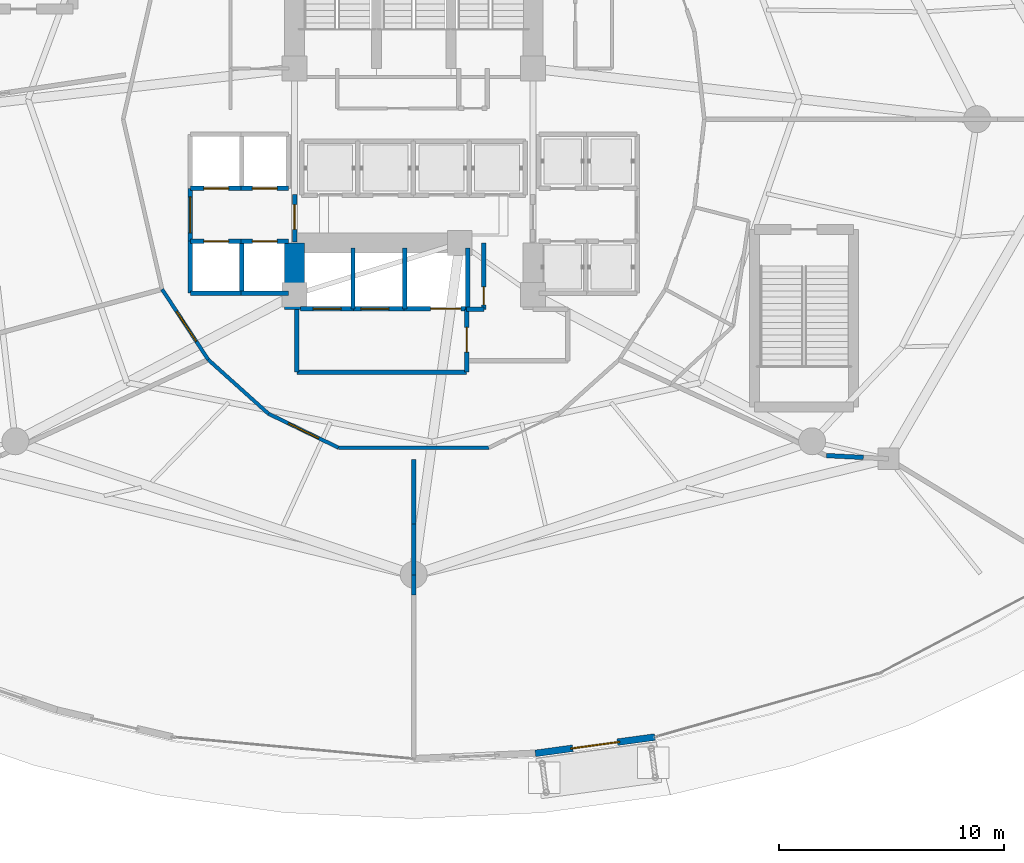
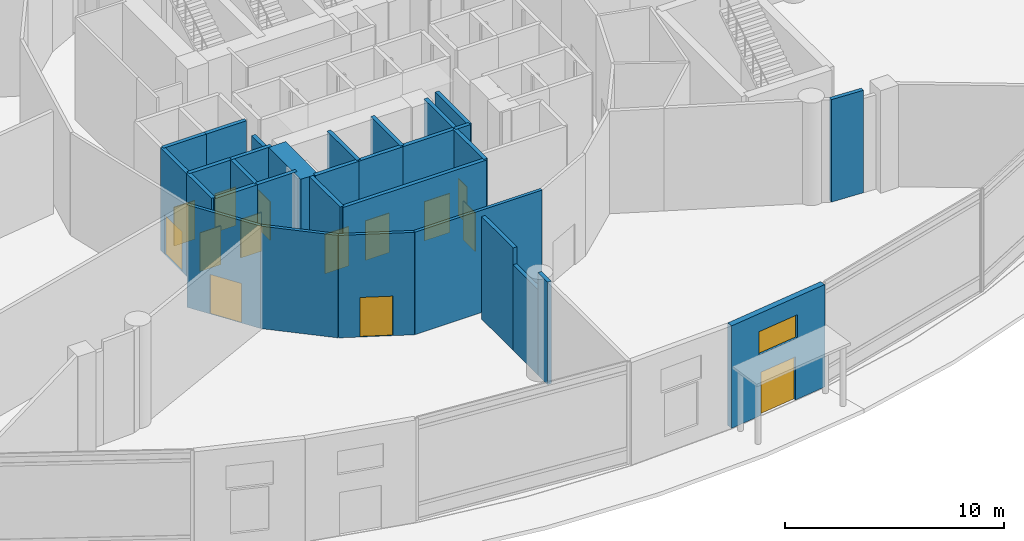
# One storey, part 31 of 40: 31 walls, 14 doors, 1 window, 15 openings.
"""IFC4 building model written with IfcOpenShell, lengths in metres."""

import ifcopenshell
import ifcopenshell.guid

model = None  # the IFC model being written
_history = None  # IfcOwnerHistory: only IFC2X3 demands one
_inside = {}  # id of a spatial element -> (the spatial element, [elements in it])
_under = {}  # id of a project, library or spatial element -> (it, [spatial elements below it])
_declared = {}  # id of a project -> (the project, [libraries it declares])
_typed = {}  # id of a type object -> (the type object, [elements of that type])
_made_of = {}  # id of a material, layer set ... -> (it, [elements and type objects made of it])


def new_model(schema):
    """Start an empty IFC model of exactly this schema.

    Asked for "IFC4X3", IfcOpenShell would pick the latest addendum, in which some entities
    have other attributes; the version numbers below select the first issue.
    IFC2X3 requires an IfcOwnerHistory on every rooted entity: one is made here for all.
    """
    global model, _history
    if schema == "IFC4X3":
        model = ifcopenshell.file(schema_version=(4, 3, 0, 0))
    else:
        model = ifcopenshell.file(schema=schema)
    _inside.clear()
    _under.clear()
    _declared.clear()
    _typed.clear()
    _made_of.clear()
    _history = None
    if model.schema == "IFC2X3":
        org = make("IfcOrganization", Name="unknown")
        user = make(
            "IfcPersonAndOrganization",
            ThePerson=make("IfcPerson", FamilyName="unknown"),
            TheOrganization=org,
        )
        app = make(
            "IfcApplication",
            ApplicationDeveloper=org,
            Version="unknown",
            ApplicationFullName="unknown",
            ApplicationIdentifier="unknown",
        )
        _history = make(
            "IfcOwnerHistory",
            OwningUser=user,
            OwningApplication=app,
            ChangeAction="ADDED",
            CreationDate=0,
        )
    return model


def make(cls, **values):
    """One entity of the class cls with the attributes given. An attribute that is None is left unset."""
    return model.create_entity(
        cls, **{name: value for name, value in values.items() if value is not None}
    )


def rooted(cls, **values):
    """An entity with a GlobalId (a new one), such as an element, a storey or a relation."""
    return make(cls, GlobalId=ifcopenshell.guid.new(), OwnerHistory=_history, **values)


def si_unit(unit_type, name, prefix=None):
    """IfcSIUnit, for example si_unit("LENGTHUNIT", "METRE", prefix="MILLI")."""
    return make("IfcSIUnit", UnitType=unit_type, Prefix=prefix, Name=name)


def assignment(units):
    """IfcUnitAssignment: the units of a project."""
    return None if units is None else make("IfcUnitAssignment", Units=units)


def point(xyz):
    """IfcCartesianPoint."""
    return None if xyz is None else make("IfcCartesianPoint", Coordinates=xyz)


def direction(xyz):
    """IfcDirection."""
    return None if xyz is None else make("IfcDirection", DirectionRatios=xyz)


def frame(location, z_axis=None, x_axis=None):
    """IfcAxis2Placement3D, a coordinate frame: its origin and axes. An axis left out is left unset."""
    return make(
        "IfcAxis2Placement3D",
        Location=point(location),
        Axis=direction(z_axis),
        RefDirection=direction(x_axis),
    )


def frame_2d(location, x_axis=None):
    """IfcAxis2Placement2D, a coordinate frame in the plane: its origin and x axis."""
    return make(
        "IfcAxis2Placement2D", Location=point(location), RefDirection=direction(x_axis)
    )


def origin():
    """The frame at (0, 0, 0) with its axes left unset."""
    return frame((0.0, 0.0, 0.0))


def place(relative_to, where):
    """IfcLocalPlacement: puts the frame where relative to a parent placement (None: the world)."""
    return make(
        "IfcLocalPlacement", PlacementRelTo=relative_to, RelativePlacement=where
    )


def context(
    kind, dimensions, precision=None, world=None, true_north=None, identifier=None
):
    """IfcGeometricRepresentationContext, for example the 3D "Model" context."""
    return make(
        "IfcGeometricRepresentationContext",
        ContextIdentifier=identifier,
        ContextType=kind,
        CoordinateSpaceDimension=dimensions,
        Precision=precision,
        WorldCoordinateSystem=world,
        TrueNorth=true_north,
    )


def subcontext(parent, identifier, kind, view, scale=None):
    """IfcGeometricRepresentationSubContext, for example "Body" below "Model"."""
    return make(
        "IfcGeometricRepresentationSubContext",
        ContextIdentifier=identifier,
        ContextType=kind,
        ParentContext=parent,
        TargetScale=scale,
        TargetView=view,
    )


def project(units=None, contexts=None):
    """IfcProject with its units and contexts."""
    return rooted(
        "IfcProject",
        Name="project",
        RepresentationContexts=contexts,
        UnitsInContext=assignment(units),
    )


def spatial(cls, under=None, at=None, **own):
    """A site, building, storey or space (cls), placed at a placement, below another one or the project."""
    s = rooted(cls, ObjectPlacement=at, **own)
    if under is not None:
        _under.setdefault(under.id(), (under, []))[1].append(s)
    return s


def profile(cls, at=None, kind="AREA", **sizes):
    """A parametric profile (cls). Its sizes go by their IFC names, for example OverallWidth=200.0."""
    return make(cls, ProfileType=kind, Position=at, **sizes)


def rectangle(**sizes):
    """IfcRectangleProfileDef."""
    return profile("IfcRectangleProfileDef", **sizes)


def extrude(swept, where, along, depth):
    """IfcExtrudedAreaSolid: the profile swept, set in the frame where, extruded along a direction by depth."""
    return make(
        "IfcExtrudedAreaSolid",
        SweptArea=swept,
        Position=where,
        ExtrudedDirection=direction(along),
        Depth=depth,
    )


def shape(context_of_items, identifier, shape_type, items):
    """IfcShapeRepresentation: the items that make up one representation, for example the "Body"."""
    return make(
        "IfcShapeRepresentation",
        ContextOfItems=context_of_items,
        RepresentationIdentifier=identifier,
        RepresentationType=shape_type,
        Items=items,
    )


def material(Name=None, Category=None):
    """IfcMaterial."""
    return make("IfcMaterial", Name=Name, Category=Category)


def layer(
    of_material, thickness, ventilated=None, Name=None, Category=None, Priority=None
):
    """IfcMaterialLayer: one layer of a wall or slab, of a material (None: an air gap)."""
    return make(
        "IfcMaterialLayer",
        Material=of_material,
        LayerThickness=thickness,
        IsVentilated=ventilated,
        Name=Name,
        Category=Category,
        Priority=Priority,
    )


def layer_set(layers, Name=None):
    """IfcMaterialLayerSet."""
    return make("IfcMaterialLayerSet", MaterialLayers=layers, LayerSetName=Name)


def made_of(thing, what):
    """Note that an element or type object is made of a material, layer set ...; save() writes the relation."""
    if what is not None:
        _made_of.setdefault(what.id(), (what, []))[1].append(thing)
    return thing


def type_object(cls, material=None, **own):
    """A type object (cls), such as IfcWallType, which elements share."""
    return made_of(rooted(cls, **own), material)


def element(
    cls,
    number,
    at=None,
    inside=None,
    cuts=None,
    type_object=None,
    material=None,
    context=None,
    identifier="Body",
    shape_type=None,
    held_by="IfcProductDefinitionShape",
    body=None,
    shapes=None,
    **own,
):
    """One element of the class cls, such as IfcWall. Its Tag is "e" and its number.

    at: its placement. inside: the storey or other place that contains it. cuts: it is an
    opening in that element (IfcRelVoidsElement). A single representation is given by context,
    identifier, shape_type and body (its items); several are given by shapes. held_by: the class
    of the entity that holds the representations. save() writes the other relations.
    """
    e = rooted(cls, Tag="e%d" % number, ObjectPlacement=at, **own)
    if body is not None:
        shapes = [shape(context, identifier, shape_type, body)]
    if shapes is not None:
        e.Representation = make(held_by, Representations=shapes)
    if inside is not None:
        _inside.setdefault(inside.id(), (inside, []))[1].append(e)
    if cuts is not None:
        rooted(
            "IfcRelVoidsElement", RelatingBuildingElement=cuts, RelatedOpeningElement=e
        )
    if type_object is not None:
        _typed.setdefault(type_object.id(), (type_object, []))[1].append(e)
    return made_of(e, material)


def fill(opening, filler):
    """IfcRelFillsElement: the door or window that sits in an opening."""
    return rooted(
        "IfcRelFillsElement",
        RelatingOpeningElement=opening,
        RelatedBuildingElement=filler,
    )


def aggregate(whole, parts):
    """IfcRelAggregates: a whole, such as a stair, and the parts it consists of."""
    return rooted("IfcRelAggregates", RelatingObject=whole, RelatedObjects=parts)


def save(model, path):
    """Write the relations noted so far, then the file.

    IfcRelAggregates (storeys below a building ...), IfcRelContainedInSpatialStructure (elements
    in a storey), IfcRelDefinesByType, IfcRelAssociatesMaterial and IfcRelDeclares: one each for
    every whole, place, type object, material and project.
    """
    for whole, parts in _under.values():
        aggregate(whole, parts)
    for where, things in _inside.values():
        rooted(
            "IfcRelContainedInSpatialStructure",
            RelatedElements=things,
            RelatingStructure=where,
        )
    for kind, things in _typed.values():
        rooted("IfcRelDefinesByType", RelatedObjects=things, RelatingType=kind)
    for what, things in _made_of.values():
        rooted("IfcRelAssociatesMaterial", RelatedObjects=things, RelatingMaterial=what)
    for by, libraries in _declared.values():
        rooted("IfcRelDeclares", RelatingContext=by, RelatedDefinitions=libraries)
    model.write(path)


model = new_model("IFC4")

# Units and contexts
model_context = context("Model", 3, precision=1e-05, world=origin(), true_north=direction((0.0, 1.0)))
body_context = subcontext(model_context, "Body", "Model", "MODEL_VIEW")
ifc_project = project(units=[si_unit("LENGTHUNIT", "METRE"), si_unit("AREAUNIT", "SQUARE_METRE"), si_unit("VOLUMEUNIT", "CUBIC_METRE"), si_unit("PLANEANGLEUNIT", "RADIAN"), si_unit("MASSUNIT", "GRAM", prefix="KILO")], contexts=[model_context])

# Site, building, storey
site_placement = place(None, origin())
site = spatial("IfcSite", under=ifc_project, at=site_placement, CompositionType="ELEMENT")
building_placement = place(site_placement, origin())
building = spatial("IfcBuilding", under=site, at=building_placement, Name="Nuhasar Tower", CompositionType="ELEMENT")
storey_placement = place(building_placement, origin())
storey = spatial("IfcBuildingStorey", under=building, at=storey_placement, Name="L00", CompositionType="ELEMENT", Elevation=0.0)

# Wall, openings, door, window
ifc_material_1 = material(Name="Concrete C45/55", Category="concrete")
ifc_layer_1 = layer(ifc_material_1, 0.239990234375)
ifc_material_2 = material(Name="Limestone Ashlar", Category="masonry")
ifc_layer_2 = layer(ifc_material_2, 0.06005859375)
ifc_layer_set_1 = layer_set([ifc_layer_1, ifc_layer_2], Name="Concrete C45/55")
wall_type_1 = type_object("IfcWallType", Name="WL-ARC-300", PredefinedType="STANDARD", material=ifc_layer_set_1)
wall_1_placement = place(storey_placement, frame((49.72509765625, -0.6708984375, 0.0), z_axis=(0.0, 0.0, 1.0), x_axis=(-0.99080162659, -0.135322343857, 0.0)))
wall_1 = element("IfcWall", 1, at=wall_1_placement, inside=storey, type_object=wall_type_1, Name="L00 Limestone Arcade Spandrel Pier 19-2", PredefinedType="STANDARD", context=body_context, shape_type="SweptSolid", body=[
    extrude(rectangle(XDim=5.365478515625, YDim=0.300048828125, at=frame_2d((2.6826171875, 0.0))), origin(), (0.0, 0.0, 1.0), 5.699951171875),
])
opening_1_placement = place(wall_1_placement, frame((1.68310546875, 0.0, 0.0)))
opening_1 = element("IfcOpeningElement", 2, at=opening_1_placement, cuts=wall_1, Name="Opening DX-01", PredefinedType="OPENING", context=body_context, shape_type="SweptSolid", body=[
    extrude(rectangle(XDim=2.0, YDim=2.39990234375, at=frame_2d((1.0, 1.199951171875))), frame((0.0, 0.16015625, 0.0), z_axis=(0.0, -1.0, 0.0), x_axis=(1.0, 0.0, 0.0)), (0.0, 0.0, 1.0), 0.320068359375),
])
opening_2_placement = place(wall_1_placement, frame((1.5830078125, 0.0, 3.39990234375)))
opening_2 = element("IfcOpeningElement", 3, at=opening_2_placement, cuts=wall_1, Name="Opening WX-03", PredefinedType="OPENING", context=body_context, shape_type="SweptSolid", body=[
    extrude(rectangle(XDim=2.199951171875, YDim=1.300048828125, at=frame_2d((1.10009765625, 0.64990234375))), frame((0.0, 0.16015625, 0.0), z_axis=(0.0, -1.0, 0.0), x_axis=(1.0, 0.0, 0.0)), (0.0, 0.0, 1.0), 0.320068359375),
])
ifc_material_3 = material(Name="Aluminium 6063-T6", Category="aluminium")
door_type_1 = type_object("IfcDoorType", Name="DR-EXT-2000", OperationType="DOUBLE_DOOR_SINGLE_SWING", PredefinedType="DOOR", material=ifc_material_3)
door_1_placement = place(opening_1_placement, origin())
door_1 = element("IfcDoor", 4, at=door_1_placement, inside=storey, type_object=door_type_1, Name="L00 Main Plaza Entrance Portal 19", OperationType="DOUBLE_DOOR_SINGLE_SWING", OverallHeight=2.39990234375, OverallWidth=2.0, PredefinedType="DOOR", context=body_context, shape_type="SweptSolid", body=[
    extrude(rectangle(XDim=2.0, YDim=2.39990234375, at=frame_2d((1.0, 1.199951171875))), frame((0.0, 0.02490234375, 0.0), z_axis=(0.0, -1.0, 0.0), x_axis=(1.0, 0.0, 0.0)), (0.0, 0.0, 1.0), 0.050048828125),
])
fill(opening_1, door_1)
ifc_material_4 = material(Name="Glass Double Low-E", Category="glass")
window_type = type_object("IfcWindowType", Name="WIN-CLER-2200", PartitioningType="DOUBLE_PANEL_HORIZONTAL", PredefinedType="WINDOW", material=ifc_material_4)
window_placement = place(opening_2_placement, origin())
window = element("IfcWindow", 5, at=window_placement, inside=storey, type_object=window_type, Name="L00 Clerestory Light Window 19-2", OverallHeight=1.300048828125, OverallWidth=2.199951171875, PartitioningType="DOUBLE_PANEL_HORIZONTAL", PredefinedType="WINDOW", context=body_context, shape_type="SweptSolid", body=[
    extrude(rectangle(XDim=2.199951171875, YDim=1.300048828125, at=frame_2d((1.10009765625, 0.64990234375))), frame((0.0, 0.030029296875, 0.0), z_axis=(0.0, -1.0, 0.0), x_axis=(1.0, 0.0, 0.0)), (0.0, 0.0, 1.0), 0.06005859375),
])
fill(opening_2, window)

# Wall
ifc_material_5 = material(Name="Concrete C80/95", Category="concrete")
ifc_layer_3 = layer(ifc_material_5, 0.89990234375)
ifc_layer_set_2 = layer_set([ifc_layer_3], Name="Concrete C80/95")
wall_type_2 = type_object("IfcWallType", Name="WL-CORE-900", PredefinedType="SHEAR", material=ifc_layer_set_2)
wall_2_placement = place(storey_placement, frame((33.699951171875, 18.35009765625, 0.0), z_axis=(0.0, 0.0, 1.0), x_axis=(0.0, 1.0, 0.0)))
element("IfcWall", 6, at=wall_2_placement, inside=storey, type_object=wall_type_2, Name="L00 Core Shear Wall CW-SW CW-900", PredefinedType="SHEAR", context=body_context, shape_type="SweptSolid", body=[
    extrude(rectangle(XDim=2.949951171875, YDim=0.89990234375, at=frame_2d((1.47509765625, 0.0))), origin(), (0.0, 0.0, 1.0), 5.699951171875),
])

# Wall, opening, door
ifc_material_6 = material(Name="Gypsum Board", Category="gypsum")
ifc_layer_4 = layer(ifc_material_6, 0.159912109375)
ifc_layer_set_3 = layer_set([ifc_layer_4], Name="Gypsum Board")
wall_type_3 = type_object("IfcWallType", Name="WL-CORR-160", PredefinedType="PARTITIONING", material=ifc_layer_set_3)
wall_3_placement = place(storey_placement, frame((29.864013671875, 16.10888671875, 0.0), z_axis=(0.0, 0.0, 1.0), x_axis=(-0.548318837904, 0.836269365694, 0.0)))
wall_3 = element("IfcWall", 7, at=wall_3_placement, inside=storey, type_object=wall_type_3, Name="L00 Interior Partition CORR-28", PredefinedType="PARTITIONING", context=body_context, shape_type="SweptSolid", body=[
    extrude(rectangle(XDim=3.744140625, YDim=0.159912109375, at=frame_2d((1.8720703125, 0.0))), origin(), (0.0, 0.0, 1.0), 5.699951171875),
])
opening_3_placement = place(wall_3_placement, frame((0.968994140625, 0.0, 0.0)))
opening_3 = element("IfcOpeningElement", 8, at=opening_3_placement, cuts=wall_3, Name="Opening DC-01", PredefinedType="OPENING", context=body_context, shape_type="SweptSolid", body=[
    extrude(rectangle(XDim=1.60009765625, YDim=2.199951171875, at=frame_2d((0.800048828125, 1.10009765625))), frame((0.0, 0.08984375, 0.0), z_axis=(0.0, -1.0, 0.0), x_axis=(1.0, 0.0, 0.0)), (0.0, 0.0, 1.0), 0.179931640625),
])
ifc_material_7 = material(Name="Steel S355", Category="steel")
door_type_2 = type_object("IfcDoorType", Name="DR-CORR-FD60-1600", OperationType="DOUBLE_DOOR_SINGLE_SWING", PredefinedType="DOOR", material=ifc_material_7)
door_2_placement = place(opening_3_placement, origin())
door_2 = element("IfcDoor", 9, at=door_2_placement, inside=storey, type_object=door_type_2, Name="L00 Security Control Office Door", OperationType="DOUBLE_DOOR_SINGLE_SWING", OverallHeight=2.199951171875, OverallWidth=1.60009765625, PredefinedType="DOOR", context=body_context, shape_type="SweptSolid", body=[
    extrude(rectangle(XDim=1.60009765625, YDim=2.199951171875, at=frame_2d((0.800048828125, 1.10009765625))), frame((0.0, 0.02490234375, 0.0), z_axis=(0.0, -1.0, 0.0), x_axis=(1.0, 0.0, 0.0)), (0.0, 0.0, 1.0), 0.050048828125),
])
fill(opening_3, door_2)

# Wall
wall_4_placement = place(storey_placement, frame((29.864013671875, 16.10888671875, 0.0), z_axis=(0.0, 0.0, 1.0), x_axis=(0.744066617248, -0.668105432621, 0.0)))
element("IfcWall", 10, at=wall_4_placement, inside=storey, type_object=wall_type_3, Name="L00 Interior Partition CORR-30", PredefinedType="PARTITIONING", context=body_context, shape_type="SweptSolid", body=[
    extrude(rectangle(XDim=3.596435546875, YDim=0.159912109375, at=frame_2d((1.79833984375, 0.0))), origin(), (0.0, 0.0, 1.0), 5.699951171875),
])

# Wall, opening, door
wall_5_placement = place(storey_placement, frame((35.656005859375, 12.195068359375, 0.0), z_axis=(0.0, 0.0, 1.0), x_axis=(-0.899789784655, 0.436323668199, 0.0)))
wall_5 = element("IfcWall", 11, at=wall_5_placement, inside=storey, type_object=wall_type_3, Name="L00 Interior Partition CORR-32", PredefinedType="PARTITIONING", context=body_context, shape_type="SweptSolid", body=[
    extrude(rectangle(XDim=3.462890625, YDim=0.159912109375, at=frame_2d((1.7314453125, 0.0))), origin(), (0.0, 0.0, 1.0), 5.699951171875),
])
opening_4_placement = place(wall_5_placement, frame((0.98193359375, 0.0, 0.0)))
opening_4 = element("IfcOpeningElement", 12, at=opening_4_placement, cuts=wall_5, Name="Opening DP-01", PredefinedType="OPENING", context=body_context, shape_type="SweptSolid", body=[
    extrude(rectangle(XDim=1.5, YDim=2.199951171875, at=frame_2d((0.75, 1.10009765625))), frame((0.0, 0.08984375, 0.0), z_axis=(0.0, -1.0, 0.0), x_axis=(1.0, 0.0, 0.0)), (0.0, 0.0, 1.0), 0.179931640625),
])
door_type_3 = type_object("IfcDoorType", Name="DR-PLANT-FD120-1500", OperationType="DOUBLE_DOOR_SINGLE_SWING", PredefinedType="DOOR", material=ifc_material_7)
door_3_placement = place(opening_4_placement, origin())
door_3 = element("IfcDoor", 13, at=door_3_placement, inside=storey, type_object=door_type_3, Name="L00 Fire Command Room FCC Door", OperationType="DOUBLE_DOOR_SINGLE_SWING", OverallHeight=2.199951171875, OverallWidth=1.5, PredefinedType="DOOR", context=body_context, shape_type="SweptSolid", body=[
    extrude(rectangle(XDim=1.5, YDim=2.199951171875, at=frame_2d((0.75, 1.10009765625))), frame((0.0, 0.02490234375, 0.0), z_axis=(0.0, -1.0, 0.0), x_axis=(1.0, 0.0, 0.0)), (0.0, 0.0, 1.0), 0.050048828125),
])
fill(opening_4, door_3)

# Wall
wall_6_placement = place(storey_placement, frame((35.656005859375, 12.195068359375, 0.0), z_axis=(0.0, 0.0, 1.0), x_axis=(1.0, 0.0, 0.0)))
element("IfcWall", 14, at=wall_6_placement, inside=storey, type_object=wall_type_3, Name="L00 Interior Partition CORR-34", PredefinedType="PARTITIONING", context=body_context, shape_type="SweptSolid", body=[
    extrude(rectangle(XDim=6.68798828125, YDim=0.159912109375, at=frame_2d((3.343994140625, 0.0))), origin(), (0.0, 0.0, 1.0), 5.699951171875),
])

# Wall, opening, door
ifc_layer_5 = layer(ifc_material_1, 0.199951171875)
ifc_layer_set_4 = layer_set([ifc_layer_5], Name="Concrete C45/55")
wall_type_4 = type_object("IfcWallType", Name="WL-LOBBY-200", PredefinedType="SOLIDWALL", material=ifc_layer_set_4)
wall_7_placement = place(storey_placement, frame((29.070068359375, 21.3798828125, 0.0), z_axis=(0.0, 0.0, 1.0), x_axis=(0.0, 1.0, 0.0)))
wall_7 = element("IfcWall", 15, at=wall_7_placement, inside=storey, type_object=wall_type_4, Name="L00 Interior Partition LLBL-W", PredefinedType="SOLIDWALL", context=body_context, shape_type="SweptSolid", body=[
    extrude(rectangle(XDim=2.340087890625, YDim=0.199951171875, at=frame_2d((1.169921875, 0.0))), origin(), (0.0, 0.0, 1.0), 5.699951171875),
])
opening_5_placement = place(wall_7_placement, frame((0.3701171875, 0.0, 0.0)))
opening_5 = element("IfcOpeningElement", 16, at=opening_5_placement, cuts=wall_7, Name="Opening DC-01", PredefinedType="OPENING", context=body_context, shape_type="SweptSolid", body=[
    extrude(rectangle(XDim=1.60009765625, YDim=2.199951171875, at=frame_2d((0.800048828125, 1.10009765625))), frame((0.0, 0.10986328125, 0.0), z_axis=(0.0, -1.0, 0.0), x_axis=(1.0, 0.0, 0.0)), (0.0, 0.0, 1.0), 0.219970703125),
])
door_4_placement = place(opening_5_placement, origin())
door_4 = element("IfcDoor", 17, at=door_4_placement, inside=storey, type_object=door_type_2, Name="L00 Low-Rise Lift Lobby West Entry", OperationType="DOUBLE_DOOR_SINGLE_SWING", OverallHeight=2.199951171875, OverallWidth=1.60009765625, PredefinedType="DOOR", context=body_context, shape_type="SweptSolid", body=[
    extrude(rectangle(XDim=1.60009765625, YDim=2.199951171875, at=frame_2d((0.800048828125, 1.10009765625))), frame((0.0, 0.02490234375, 0.0), z_axis=(0.0, -1.0, 0.0), x_axis=(1.0, 0.0, 0.0)), (0.0, 0.0, 1.0), 0.050048828125),
])
fill(opening_5, door_4)

wall_8_placement = place(storey_placement, frame((33.699951171875, 21.35009765625, 0.0), z_axis=(0.0, 0.0, 1.0), x_axis=(0.0, 1.0, 0.0)))
wall_8 = element("IfcWall", 18, at=wall_8_placement, inside=storey, type_object=wall_type_4, Name="L00 Interior Partition LLBH-W", PredefinedType="SOLIDWALL", context=body_context, shape_type="SweptSolid", body=[
    extrude(rectangle(XDim=2.099853515625, YDim=0.199951171875, at=frame_2d((1.0498046875, 0.0))), origin(), (0.0, 0.0, 1.0), 4.919921875),
])
opening_6_placement = place(wall_8_placement, frame((0.550048828125, 0.0, 0.0)))
opening_6 = element("IfcOpeningElement", 19, at=opening_6_placement, cuts=wall_8, Name="Opening DS-02", PredefinedType="OPENING", context=body_context, shape_type="SweptSolid", body=[
    extrude(rectangle(XDim=1.10009765625, YDim=2.14990234375, at=frame_2d((0.550048828125, 1.074951171875))), frame((0.0, 0.10986328125, 0.0), z_axis=(0.0, -1.0, 0.0), x_axis=(1.0, 0.0, 0.0)), (0.0, 0.0, 1.0), 0.219970703125),
])
door_type_4 = type_object("IfcDoorType", Name="DR-FFL-FD120-1100", OperationType="NOTDEFINED", PredefinedType="DOOR", material=ifc_material_7)
door_5_placement = place(opening_6_placement, origin())
door_5 = element("IfcDoor", 20, at=door_5_placement, inside=storey, type_object=door_type_4, Name="L00 High-Rise Lobby West Door", OperationType="SINGLE_SWING_RIGHT", OverallHeight=2.14990234375, OverallWidth=1.10009765625, PredefinedType="DOOR", context=body_context, shape_type="SweptSolid", body=[
    extrude(rectangle(XDim=1.10009765625, YDim=2.14990234375, at=frame_2d((0.550048828125, 1.074951171875))), frame((0.0, 0.02490234375, 0.0), z_axis=(0.0, -1.0, 0.0), x_axis=(1.0, 0.0, 0.0)), (0.0, 0.0, 1.0), 0.050048828125),
])
fill(opening_6, door_5)

# Walls
wall_9_placement = place(storey_placement, frame((33.800048828125, 15.550048828125, 0.0), z_axis=(0.0, 0.0, 1.0), x_axis=(1.0, 0.0, 0.0)))
element("IfcWall", 21, at=wall_9_placement, inside=storey, type_object=wall_type_4, Name="L00 Interior Partition FFL-S", PredefinedType="SOLIDWALL", context=body_context, shape_type="SweptSolid", body=[
    extrude(rectangle(XDim=7.550048828125, YDim=0.199951171875, at=frame_2d((3.77490234375, 0.0))), origin(), (0.0, 0.0, 1.0), 5.699951171875),
])
wall_10_placement = place(storey_placement, frame((33.800048828125, 15.550048828125, 0.0), z_axis=(0.0, 0.0, 1.0), x_axis=(0.0, 1.0, 0.0)))
element("IfcWall", 22, at=wall_10_placement, inside=storey, type_object=wall_type_4, Name="L00 Interior Partition FFL-W", PredefinedType="SOLIDWALL", context=body_context, shape_type="SweptSolid", body=[
    extrude(rectangle(XDim=2.800048828125, YDim=0.199951171875, at=frame_2d((1.39990234375, 0.0))), origin(), (0.0, 0.0, 1.0), 5.699951171875),
])

# Wall, opening, door
wall_11_placement = place(storey_placement, frame((41.35009765625, 18.35009765625, 0.0), z_axis=(0.0, 0.0, 1.0), x_axis=(0.0, -1.0, 0.0)))
wall_11 = element("IfcWall", 23, at=wall_11_placement, inside=storey, type_object=wall_type_4, Name="L00 Interior Partition FFL-E", PredefinedType="SOLIDWALL", context=body_context, shape_type="SweptSolid", body=[
    extrude(rectangle(XDim=2.800048828125, YDim=0.199951171875, at=frame_2d((1.39990234375, 0.0))), origin(), (0.0, 0.0, 1.0), 5.699951171875),
])
opening_7_placement = place(wall_11_placement, frame((0.800048828125, 0.0, 0.0)))
opening_7 = element("IfcOpeningElement", 24, at=opening_7_placement, cuts=wall_11, Name="Opening DS-02", PredefinedType="OPENING", context=body_context, shape_type="SweptSolid", body=[
    extrude(rectangle(XDim=1.10009765625, YDim=2.14990234375, at=frame_2d((0.550048828125, 1.074951171875))), frame((0.0, 0.10986328125, 0.0), z_axis=(0.0, -1.0, 0.0), x_axis=(1.0, 0.0, 0.0)), (0.0, 0.0, 1.0), 0.219970703125),
])
door_6_placement = place(opening_7_placement, origin())
door_6 = element("IfcDoor", 25, at=door_6_placement, inside=storey, type_object=door_type_4, Name="L00 Firefighting Lobby Door", OperationType="SINGLE_SWING_LEFT", OverallHeight=2.14990234375, OverallWidth=1.10009765625, PredefinedType="DOOR", context=body_context, shape_type="SweptSolid", body=[
    extrude(rectangle(XDim=1.10009765625, YDim=2.14990234375, at=frame_2d((0.550048828125, 1.074951171875))), frame((0.0, 0.02490234375, 0.0), z_axis=(0.0, -1.0, 0.0), x_axis=(1.0, 0.0, 0.0)), (0.0, 0.0, 1.0), 0.050048828125),
])
fill(opening_7, door_6)

ifc_layer_6 = layer(ifc_material_1, 0.199951171875)
ifc_layer_set_5 = layer_set([ifc_layer_6], Name="Concrete C45/55")
wall_type_5 = type_object("IfcWallType", Name="WL-SHAFT-200", PredefinedType="SOLIDWALL", material=ifc_layer_set_5)
wall_12_placement = place(storey_placement, frame((29.070068359375, 23.719970703125, 0.0), z_axis=(0.0, 0.0, 1.0), x_axis=(1.0, 0.0, 0.0)))
wall_12 = element("IfcWall", 26, at=wall_12_placement, inside=storey, type_object=wall_type_5, Name="L00 Interior Partition SHF-PL-L01-S", PredefinedType="SOLIDWALL", context=body_context, shape_type="SweptSolid", body=[
    extrude(rectangle(XDim=2.309814453125, YDim=0.199951171875, at=frame_2d((1.15478515625, 0.0))), origin(), (0.0, 0.0, 1.0), 5.699951171875),
])
opening_8_placement = place(wall_12_placement, frame((0.60498046875, 0.0, 0.0)))
opening_8 = element("IfcOpeningElement", 27, at=opening_8_placement, cuts=wall_12, Name="Opening LD-L01", PredefinedType="OPENING", context=body_context, shape_type="SweptSolid", body=[
    extrude(rectangle(XDim=1.10009765625, YDim=2.14990234375, at=frame_2d((0.550048828125, 1.074951171875))), frame((0.0, 0.10986328125, 0.0), z_axis=(0.0, -1.0, 0.0), x_axis=(1.0, 0.0, 0.0)), (0.0, 0.0, 1.0), 0.219970703125),
])
ifc_material_8 = material(Name="Stainless Steel 316L", Category="steel")
door_type_5 = type_object("IfcDoorType", Name="LD-PAX-1100", OperationType="DOUBLE_DOOR_SLIDING", PredefinedType="DOOR", material=ifc_material_8)
door_7_placement = place(opening_8_placement, origin())
door_7 = element("IfcDoor", 28, at=door_7_placement, inside=storey, type_object=door_type_5, Name="L00 Lift Landing Door PL-L01", OperationType="DOUBLE_DOOR_SLIDING", OverallHeight=2.14990234375, OverallWidth=1.10009765625, PredefinedType="DOOR", context=body_context, shape_type="SweptSolid", body=[
    extrude(rectangle(XDim=1.10009765625, YDim=2.14990234375, at=frame_2d((0.550048828125, 1.074951171875))), frame((0.0, 0.02490234375, 0.0), z_axis=(0.0, -1.0, 0.0), x_axis=(1.0, 0.0, 0.0)), (0.0, 0.0, 1.0), 0.050048828125),
])
fill(opening_8, door_7)

wall_13_placement = place(storey_placement, frame((31.320068359375, 23.719970703125, 0.0), z_axis=(0.0, 0.0, 1.0), x_axis=(1.0, 0.0, 0.0)))
wall_13 = element("IfcWall", 29, at=wall_13_placement, inside=storey, type_object=wall_type_5, Name="L00 Interior Partition SHF-PL-L02-S", PredefinedType="SOLIDWALL", context=body_context, shape_type="SweptSolid", body=[
    extrude(rectangle(XDim=2.10986328125, YDim=0.199951171875, at=frame_2d((1.054931640625, 0.0))), origin(), (0.0, 0.0, 1.0), 5.699951171875),
])
opening_9_placement = place(wall_13_placement, frame((0.5048828125, 0.0, 0.0)))
opening_9 = element("IfcOpeningElement", 30, at=opening_9_placement, cuts=wall_13, Name="Opening LD-L02", PredefinedType="OPENING", context=body_context, shape_type="SweptSolid", body=[
    extrude(rectangle(XDim=1.10009765625, YDim=2.14990234375, at=frame_2d((0.550048828125, 1.074951171875))), frame((0.0, 0.10986328125, 0.0), z_axis=(0.0, -1.0, 0.0), x_axis=(1.0, 0.0, 0.0)), (0.0, 0.0, 1.0), 0.219970703125),
])
door_8_placement = place(opening_9_placement, origin())
door_8 = element("IfcDoor", 31, at=door_8_placement, inside=storey, type_object=door_type_5, Name="L00 Lift Landing Door PL-L02", OperationType="DOUBLE_DOOR_SLIDING", OverallHeight=2.14990234375, OverallWidth=1.10009765625, PredefinedType="DOOR", context=body_context, shape_type="SweptSolid", body=[
    extrude(rectangle(XDim=1.10009765625, YDim=2.14990234375, at=frame_2d((0.550048828125, 1.074951171875))), frame((0.0, 0.02490234375, 0.0), z_axis=(0.0, -1.0, 0.0), x_axis=(1.0, 0.0, 0.0)), (0.0, 0.0, 1.0), 0.050048828125),
])
fill(opening_9, door_8)

# Wall
wall_14_placement = place(storey_placement, frame((29.070068359375, 19.070068359375, 0.0), z_axis=(0.0, 0.0, 1.0), x_axis=(1.0, 0.0, 0.0)))
element("IfcWall", 32, at=wall_14_placement, inside=storey, type_object=wall_type_5, Name="L00 Interior Partition SHF-PL-L03-S", PredefinedType="SOLIDWALL", context=body_context, shape_type="SweptSolid", body=[
    extrude(rectangle(XDim=2.309814453125, YDim=0.199951171875, at=frame_2d((1.15478515625, 0.0))), origin(), (0.0, 0.0, 1.0), 5.699951171875),
])

# Wall, opening, door
wall_15_placement = place(storey_placement, frame((29.070068359375, 21.3798828125, 0.0), z_axis=(0.0, 0.0, 1.0), x_axis=(1.0, 0.0, 0.0)))
wall_15 = element("IfcWall", 33, at=wall_15_placement, inside=storey, type_object=wall_type_5, Name="L00 Interior Partition SHF-PL-L03-N", PredefinedType="SOLIDWALL", context=body_context, shape_type="SweptSolid", body=[
    extrude(rectangle(XDim=2.309814453125, YDim=0.199951171875, at=frame_2d((1.15478515625, 0.0))), origin(), (0.0, 0.0, 1.0), 5.699951171875),
])
opening_10_placement = place(wall_15_placement, frame((0.60498046875, 0.0, 0.0)))
opening_10 = element("IfcOpeningElement", 34, at=opening_10_placement, cuts=wall_15, Name="Opening LD-L03", PredefinedType="OPENING", context=body_context, shape_type="SweptSolid", body=[
    extrude(rectangle(XDim=1.10009765625, YDim=2.14990234375, at=frame_2d((0.550048828125, 1.074951171875))), frame((0.0, 0.10986328125, 0.0), z_axis=(0.0, -1.0, 0.0), x_axis=(1.0, 0.0, 0.0)), (0.0, 0.0, 1.0), 0.219970703125),
])
door_9_placement = place(opening_10_placement, origin())
door_9 = element("IfcDoor", 35, at=door_9_placement, inside=storey, type_object=door_type_5, Name="L00 Lift Landing Door PL-L03", OperationType="DOUBLE_DOOR_SLIDING", OverallHeight=2.14990234375, OverallWidth=1.10009765625, PredefinedType="DOOR", context=body_context, shape_type="SweptSolid", body=[
    extrude(rectangle(XDim=1.10009765625, YDim=2.14990234375, at=frame_2d((0.550048828125, 1.074951171875))), frame((0.0, 0.02490234375, 0.0), z_axis=(0.0, -1.0, 0.0), x_axis=(1.0, 0.0, 0.0)), (0.0, 0.0, 1.0), 0.050048828125),
])
fill(opening_10, door_9)

# Walls
for number, where, z_axis, x_axis, name in (
    (36, (29.070068359375, 19.070068359375, 0.0), (0.0, 0.0, 1.0), (0.0, 1.0, 0.0), "L00 Interior Partition SHF-PL-L03-W"),
    (37, (31.35009765625, 19.070068359375, 0.0), (0.0, 0.0, 1.0), (0.0, 1.0, 0.0), "L00 Interior Partition SHF-PL-L03-E"),
):
    element("IfcWall", number, at=place(storey_placement, frame(where, z_axis=z_axis, x_axis=x_axis)), inside=storey, type_object=wall_type_5, Name=name, PredefinedType="SOLIDWALL", context=body_context, shape_type="SweptSolid", body=[
        extrude(rectangle(XDim=2.309814453125, YDim=0.199951171875, at=frame_2d((1.15478515625, 0.0))), origin(), (0.0, 0.0, 1.0), 5.699951171875),
    ])
wall_16_placement = place(storey_placement, frame((31.320068359375, 19.070068359375, 0.0), z_axis=(0.0, 0.0, 1.0), x_axis=(1.0, 0.0, 0.0)))
element("IfcWall", 38, at=wall_16_placement, inside=storey, type_object=wall_type_5, Name="L00 Interior Partition SHF-PL-L04-S", PredefinedType="SOLIDWALL", context=body_context, shape_type="SweptSolid", body=[
    extrude(rectangle(XDim=2.10986328125, YDim=0.199951171875, at=frame_2d((1.054931640625, 0.0))), origin(), (0.0, 0.0, 1.0), 5.699951171875),
])

# Wall, opening, door
wall_17_placement = place(storey_placement, frame((31.320068359375, 21.3798828125, 0.0), z_axis=(0.0, 0.0, 1.0), x_axis=(1.0, 0.0, 0.0)))
wall_17 = element("IfcWall", 39, at=wall_17_placement, inside=storey, type_object=wall_type_5, Name="L00 Interior Partition SHF-PL-L04-N", PredefinedType="SOLIDWALL", context=body_context, shape_type="SweptSolid", body=[
    extrude(rectangle(XDim=2.10986328125, YDim=0.199951171875, at=frame_2d((1.054931640625, 0.0))), origin(), (0.0, 0.0, 1.0), 5.699951171875),
])
opening_11_placement = place(wall_17_placement, frame((0.5048828125, 0.0, 0.0)))
opening_11 = element("IfcOpeningElement", 40, at=opening_11_placement, cuts=wall_17, Name="Opening LD-L04", PredefinedType="OPENING", context=body_context, shape_type="SweptSolid", body=[
    extrude(rectangle(XDim=1.10009765625, YDim=2.14990234375, at=frame_2d((0.550048828125, 1.074951171875))), frame((0.0, 0.10986328125, 0.0), z_axis=(0.0, -1.0, 0.0), x_axis=(1.0, 0.0, 0.0)), (0.0, 0.0, 1.0), 0.219970703125),
])
door_10_placement = place(opening_11_placement, origin())
door_10 = element("IfcDoor", 41, at=door_10_placement, inside=storey, type_object=door_type_5, Name="L00 Lift Landing Door PL-L04", OperationType="DOUBLE_DOOR_SLIDING", OverallHeight=2.14990234375, OverallWidth=1.10009765625, PredefinedType="DOOR", context=body_context, shape_type="SweptSolid", body=[
    extrude(rectangle(XDim=1.10009765625, YDim=2.14990234375, at=frame_2d((0.550048828125, 1.074951171875))), frame((0.0, 0.02490234375, 0.0), z_axis=(0.0, -1.0, 0.0), x_axis=(1.0, 0.0, 0.0)), (0.0, 0.0, 1.0), 0.050048828125),
])
fill(opening_11, door_10)

wall_18_placement = place(storey_placement, frame((33.969970703125, 18.3701171875, 0.0), z_axis=(0.0, 0.0, 1.0), x_axis=(1.0, 0.0, 0.0)))
wall_18 = element("IfcWall", 42, at=wall_18_placement, inside=storey, type_object=wall_type_5, Name="L00 Interior Partition SHF-FFL-01-S", PredefinedType="SOLIDWALL", context=body_context, shape_type="SweptSolid", body=[
    extrude(rectangle(XDim=2.360107421875, YDim=0.199951171875, at=frame_2d((1.18017578125, 0.0))), origin(), (0.0, 0.0, 1.0), 5.699951171875),
])
opening_12_placement = place(wall_18_placement, frame((0.554931640625, 0.0, 0.0)))
opening_12 = element("IfcOpeningElement", 43, at=opening_12_placement, cuts=wall_18, Name="Opening LD-F01", PredefinedType="OPENING", context=body_context, shape_type="SweptSolid", body=[
    extrude(rectangle(XDim=1.25, YDim=2.199951171875, at=frame_2d((0.625, 1.10009765625))), frame((0.0, 0.10986328125, 0.0), z_axis=(0.0, -1.0, 0.0), x_axis=(1.0, 0.0, 0.0)), (0.0, 0.0, 1.0), 0.219970703125),
])
door_type_6 = type_object("IfcDoorType", Name="LD-FFL-1250", OperationType="DOUBLE_DOOR_SLIDING", PredefinedType="DOOR", material=ifc_material_8)
door_11_placement = place(opening_12_placement, origin())
door_11 = element("IfcDoor", 44, at=door_11_placement, inside=storey, type_object=door_type_6, Name="L00 Lift Landing Door FFL-01", OperationType="DOUBLE_DOOR_SLIDING", OverallHeight=2.199951171875, OverallWidth=1.25, PredefinedType="DOOR", context=body_context, shape_type="SweptSolid", body=[
    extrude(rectangle(XDim=1.25, YDim=2.199951171875, at=frame_2d((0.625, 1.10009765625))), frame((0.0, 0.02490234375, 0.0), z_axis=(0.0, -1.0, 0.0), x_axis=(1.0, 0.0, 0.0)), (0.0, 0.0, 1.0), 0.050048828125),
])
fill(opening_12, door_11)

# Wall
wall_19_placement = place(storey_placement, frame((36.300048828125, 18.3701171875, 0.0), z_axis=(0.0, 0.0, 1.0), x_axis=(0.0, 1.0, 0.0)))
element("IfcWall", 45, at=wall_19_placement, inside=storey, type_object=wall_type_5, Name="L00 Interior Partition SHF-FFL-01-E", PredefinedType="SOLIDWALL", context=body_context, shape_type="SweptSolid", body=[
    extrude(rectangle(XDim=2.7099609375, YDim=0.199951171875, at=frame_2d((1.35498046875, 0.0))), origin(), (0.0, 0.0, 1.0), 5.699951171875),
])

# Wall, opening, door
wall_20_placement = place(storey_placement, frame((36.27001953125, 18.3701171875, 0.0), z_axis=(0.0, 0.0, 1.0), x_axis=(1.0, 0.0, 0.0)))
wall_20 = element("IfcWall", 46, at=wall_20_placement, inside=storey, type_object=wall_type_5, Name="L00 Interior Partition SHF-FFL-02-S", PredefinedType="SOLIDWALL", context=body_context, shape_type="SweptSolid", body=[
    extrude(rectangle(XDim=2.35986328125, YDim=0.199951171875, at=frame_2d((1.179931640625, 0.0))), origin(), (0.0, 0.0, 1.0), 5.699951171875),
])
opening_13_placement = place(wall_20_placement, frame((0.3798828125, 0.0, 0.0)))
opening_13 = element("IfcOpeningElement", 47, at=opening_13_placement, cuts=wall_20, Name="Opening LD-F02", PredefinedType="OPENING", context=body_context, shape_type="SweptSolid", body=[
    extrude(rectangle(XDim=1.25, YDim=2.199951171875, at=frame_2d((0.625, 1.10009765625))), frame((0.0, 0.10986328125, 0.0), z_axis=(0.0, -1.0, 0.0), x_axis=(1.0, 0.0, 0.0)), (0.0, 0.0, 1.0), 0.219970703125),
])
door_12_placement = place(opening_13_placement, origin())
door_12 = element("IfcDoor", 48, at=door_12_placement, inside=storey, type_object=door_type_6, Name="L00 Lift Landing Door FFL-02", OperationType="DOUBLE_DOOR_SLIDING", OverallHeight=2.199951171875, OverallWidth=1.25, PredefinedType="DOOR", context=body_context, shape_type="SweptSolid", body=[
    extrude(rectangle(XDim=1.25, YDim=2.199951171875, at=frame_2d((0.625, 1.10009765625))), frame((0.0, 0.02490234375, 0.0), z_axis=(0.0, -1.0, 0.0), x_axis=(1.0, 0.0, 0.0)), (0.0, 0.0, 1.0), 0.050048828125),
])
fill(opening_13, door_12)

# Wall
wall_21_placement = place(storey_placement, frame((38.60009765625, 18.3701171875, 0.0), z_axis=(0.0, 0.0, 1.0), x_axis=(0.0, 1.0, 0.0)))
element("IfcWall", 49, at=wall_21_placement, inside=storey, type_object=wall_type_5, Name="L00 Interior Partition SHF-FFL-02-E", PredefinedType="SOLIDWALL", context=body_context, shape_type="SweptSolid", body=[
    extrude(rectangle(XDim=2.7099609375, YDim=0.199951171875, at=frame_2d((1.35498046875, 0.0))), origin(), (0.0, 0.0, 1.0), 5.699951171875),
])

# Wall, opening, door
wall_22_placement = place(storey_placement, frame((38.570068359375, 18.3701171875, 0.0), z_axis=(0.0, 0.0, 1.0), x_axis=(1.0, 0.0, 0.0)))
wall_22 = element("IfcWall", 50, at=wall_22_placement, inside=storey, type_object=wall_type_5, Name="L00 Interior Partition SHF-SVL-01-S", PredefinedType="SOLIDWALL", context=body_context, shape_type="SweptSolid", body=[
    extrude(rectangle(XDim=2.829833984375, YDim=0.199951171875, at=frame_2d((1.4150390625, 0.0))), origin(), (0.0, 0.0, 1.0), 5.699951171875),
])
opening_14_placement = place(wall_22_placement, frame((1.179931640625, 0.0, 0.0)))
opening_14 = element("IfcOpeningElement", 51, at=opening_14_placement, cuts=wall_22, Name="Opening LD-S01", PredefinedType="OPENING", context=body_context, shape_type="SweptSolid", body=[
    extrude(rectangle(XDim=1.35009765625, YDim=2.179931640625, at=frame_2d((0.675048828125, 1.08984375))), frame((0.0, 0.10986328125, 0.0), z_axis=(0.0, -1.0, 0.0), x_axis=(1.0, 0.0, 0.0)), (0.0, 0.0, 1.0), 0.219970703125),
])
door_type_7 = type_object("IfcDoorType", Name="LD-SVL-1350", OperationType="DOUBLE_DOOR_SLIDING", PredefinedType="DOOR", material=ifc_material_8)
door_13_placement = place(opening_14_placement, origin())
door_13 = element("IfcDoor", 52, at=door_13_placement, inside=storey, type_object=door_type_7, Name="L00 Lift Landing Door SVL-01", OperationType="DOUBLE_DOOR_SLIDING", OverallHeight=2.179931640625, OverallWidth=1.35009765625, PredefinedType="DOOR", context=body_context, shape_type="SweptSolid", body=[
    extrude(rectangle(XDim=1.35009765625, YDim=2.179931640625, at=frame_2d((0.675048828125, 1.08984375))), frame((0.0, 0.02490234375, 0.0), z_axis=(0.0, -1.0, 0.0), x_axis=(1.0, 0.0, 0.0)), (0.0, 0.0, 1.0), 0.050048828125),
])
fill(opening_14, door_13)

# Wall
wall_23_placement = place(storey_placement, frame((41.39990234375, 18.3701171875, 0.0), z_axis=(0.0, 0.0, 1.0), x_axis=(0.0, 1.0, 0.0)))
element("IfcWall", 53, at=wall_23_placement, inside=storey, type_object=wall_type_5, Name="L00 Interior Partition SHF-SVL-01-E", PredefinedType="SOLIDWALL", context=body_context, shape_type="SweptSolid", body=[
    extrude(rectangle(XDim=2.7099609375, YDim=0.199951171875, at=frame_2d((1.35498046875, 0.0))), origin(), (0.0, 0.0, 1.0), 5.699951171875),
])

# Wall, opening, door
wall_24_placement = place(storey_placement, frame((42.1201171875, 18.35009765625, 0.0), z_axis=(0.0, 0.0, 1.0), x_axis=(0.0, 1.0, 0.0)))
wall_24 = element("IfcWall", 54, at=wall_24_placement, inside=storey, type_object=wall_type_5, Name="L00 Interior Partition RSR-E", PredefinedType="SOLIDWALL", context=body_context, shape_type="SweptSolid", body=[
    extrude(rectangle(XDim=2.949951171875, YDim=0.199951171875, at=frame_2d((1.47509765625, 0.0))), origin(), (0.0, 0.0, 1.0), 5.699951171875),
])
opening_15_placement = place(wall_24_placement, frame((0.199951171875, 0.0, 0.0)))
opening_15 = element("IfcOpeningElement", 55, at=opening_15_placement, cuts=wall_24, Name="Opening DM-01", PredefinedType="OPENING", context=body_context, shape_type="SweptSolid", body=[
    extrude(rectangle(XDim=0.800048828125, YDim=2.050048828125, at=frame_2d((0.39990234375, 1.02490234375))), frame((0.0, 0.10986328125, 0.0), z_axis=(0.0, -1.0, 0.0), x_axis=(1.0, 0.0, 0.0)), (0.0, 0.0, 1.0), 0.219970703125),
])
door_type_8 = type_object("IfcDoorType", Name="DR-RISER-FD60-800", OperationType="NOTDEFINED", PredefinedType="DOOR", material=ifc_material_7)
door_14_placement = place(opening_15_placement, origin())
door_14 = element("IfcDoor", 56, at=door_14_placement, inside=storey, type_object=door_type_8, Name="L00 MEP Riser Access Door", OperationType="SINGLE_SWING_LEFT", OverallHeight=2.050048828125, OverallWidth=0.800048828125, PredefinedType="DOOR", context=body_context, shape_type="SweptSolid", body=[
    extrude(rectangle(XDim=0.800048828125, YDim=2.050048828125, at=frame_2d((0.39990234375, 1.02490234375))), frame((0.0, 0.02490234375, 0.0), z_axis=(0.0, -1.0, 0.0), x_axis=(1.0, 0.0, 0.0)), (0.0, 0.0, 1.0), 0.050048828125),
])
fill(opening_15, door_14)

# Walls
wall_25_placement = place(storey_placement, frame((41.35009765625, 18.35009765625, 0.0), z_axis=(0.0, 0.0, 1.0), x_axis=(1.0, 0.0, 0.0)))
element("IfcWall", 57, at=wall_25_placement, inside=storey, type_object=wall_type_5, Name="L00 Interior Partition RSR-S", PredefinedType="SOLIDWALL", context=body_context, shape_type="SweptSolid", body=[
    extrude(rectangle(XDim=0.77001953125, YDim=0.199951171875, at=frame_2d((0.385009765625, 0.0))), origin(), (0.0, 0.0, 1.0), 5.699951171875),
])
ifc_material_9 = material(Name="Concrete C40/50 precast", Category="concrete")
ifc_layer_7 = layer(ifc_material_9, 0.199951171875)
ifc_layer_set_6 = layer_set([ifc_layer_7], Name="Concrete C40/50 precast")
wall_type_6 = type_object("IfcWallType", Name="WL-UNIT-200", PredefinedType="PARTITIONING", material=ifc_layer_set_6)
wall_26_placement = place(storey_placement, frame((39.0, 11.679931640625, 0.0), z_axis=(0.0, 0.0, 1.0), x_axis=(0.0, -1.0, 0.0)))
element("IfcWall", 58, at=wall_26_placement, inside=storey, type_object=wall_type_6, Name="L00 Interior Partition PRAD-36-S1", PredefinedType="PARTITIONING", context=body_context, shape_type="SweptSolid", body=[
    extrude(rectangle(XDim=2.885009765625, YDim=0.199951171875, at=frame_2d((1.4423828125, 0.0))), origin(), (0.0, 0.0, 1.0), 5.699951171875),
])
wall_27_placement = place(storey_placement, frame((39.0, 8.794921875, 0.0), z_axis=(0.0, 0.0, 1.0), x_axis=(0.0, -1.0, 0.0)))
element("IfcWall", 59, at=wall_27_placement, inside=storey, type_object=wall_type_6, Name="L00 Interior Partition PRAD-36-S1", PredefinedType="PARTITIONING", context=body_context, shape_type="SweptSolid", body=[
    extrude(rectangle(XDim=2.259033203125, YDim=0.199951171875, at=frame_2d((1.12939453125, 0.0))), origin(), (0.0, 0.0, 1.0), 4.764892578125),
])
wall_28_placement = place(storey_placement, frame((39.0, 6.535888671875, 0.0), z_axis=(0.0, 0.0, 1.0), x_axis=(0.0, -1.0, 0.0)))
element("IfcWall", 60, at=wall_28_placement, inside=storey, type_object=wall_type_6, Name="L00 Interior Partition PRAD-36-S1", PredefinedType="PARTITIONING", context=body_context, shape_type="SweptSolid", body=[
    extrude(rectangle(XDim=0.885986328125, YDim=0.199951171875, at=frame_2d((0.44287109375, 0.0))), origin(), (0.0, 0.0, 1.0), 5.699951171875),
])
wall_29_placement = place(storey_placement, frame((57.34912109375, 11.844970703125, 0.0), z_axis=(0.0, 0.0, 1.0), x_axis=(0.998692725363, -0.051115949639, 0.0)))
element("IfcWall", 61, at=wall_29_placement, inside=storey, type_object=wall_type_6, Name="L00 Interior Partition PRAD-42-S3", PredefinedType="PARTITIONING", context=body_context, shape_type="SweptSolid", body=[
    extrude(rectangle(XDim=1.64306640625, YDim=0.199951171875, at=frame_2d((0.821533203125, 0.0))), origin(), (0.0, 0.0, 1.0), 5.699951171875),
])

save(model, "model.ifc")
